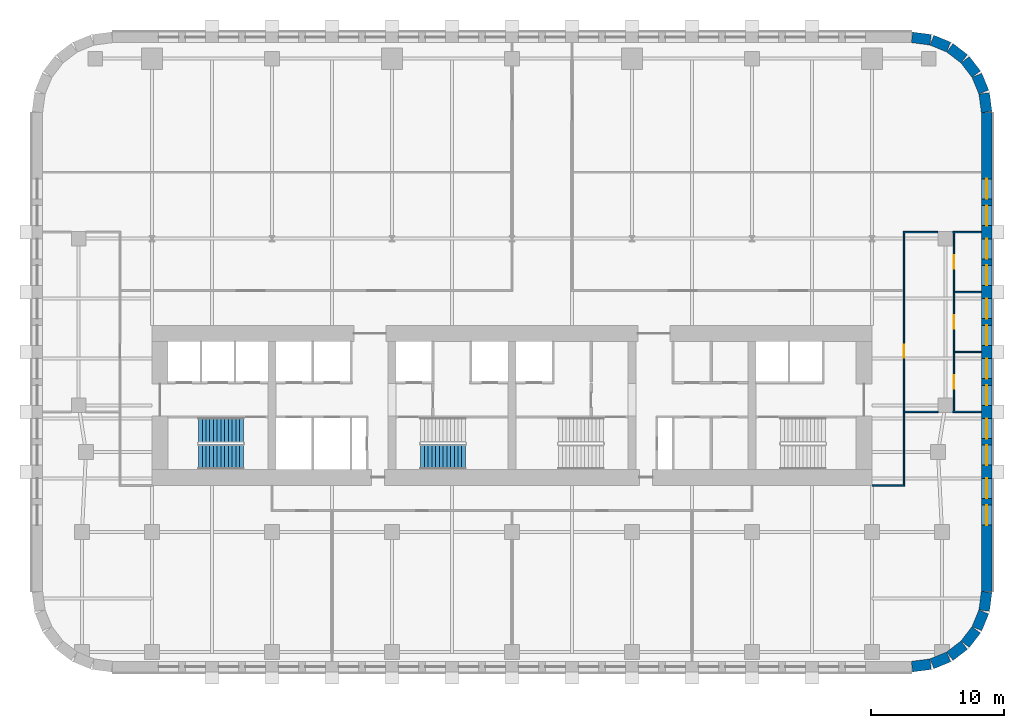
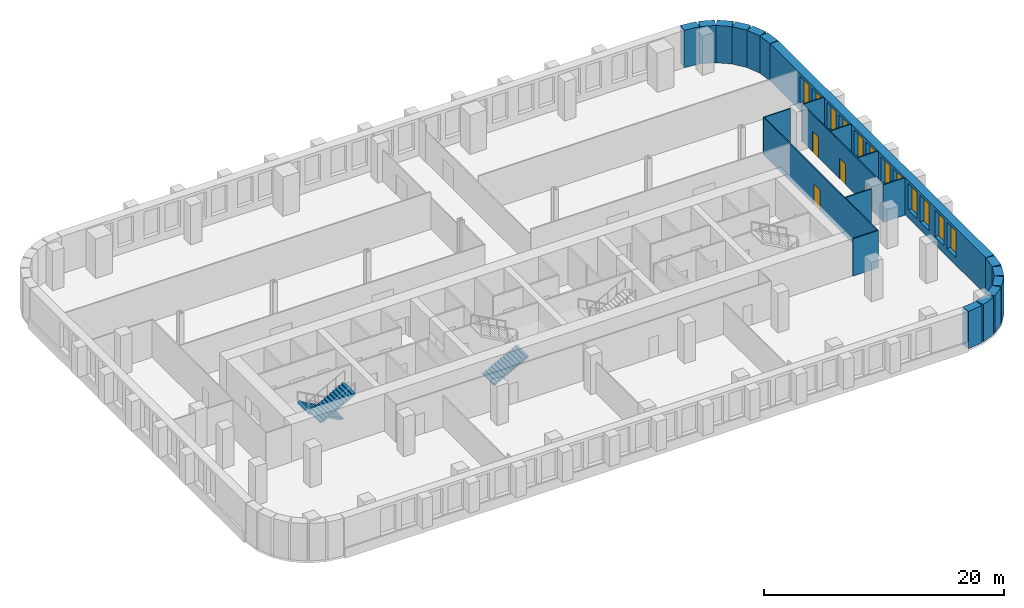
# One storey, part 8 of 11: 22 walls, 12 windows, 4 doors, 3 stair flights, 16 openings, 2 elements without a shape of their own.
"""IFC4 building model written with IfcOpenShell, lengths in metres."""

import ifcopenshell
import ifcopenshell.guid

model = None  # the IFC model being written
_history = None  # IfcOwnerHistory: only IFC2X3 demands one
_inside = {}  # id of a spatial element -> (the spatial element, [elements in it])
_under = {}  # id of a project, library or spatial element -> (it, [spatial elements below it])
_declared = {}  # id of a project -> (the project, [libraries it declares])
_typed = {}  # id of a type object -> (the type object, [elements of that type])
_made_of = {}  # id of a material, layer set ... -> (it, [elements and type objects made of it])


def new_model(schema):
    """Start an empty IFC model of exactly this schema.

    Asked for "IFC4X3", IfcOpenShell would pick the latest addendum, in which some entities
    have other attributes; the version numbers below select the first issue.
    IFC2X3 requires an IfcOwnerHistory on every rooted entity: one is made here for all.
    """
    global model, _history
    if schema == "IFC4X3":
        model = ifcopenshell.file(schema_version=(4, 3, 0, 0))
    else:
        model = ifcopenshell.file(schema=schema)
    _inside.clear()
    _under.clear()
    _declared.clear()
    _typed.clear()
    _made_of.clear()
    _history = None
    if model.schema == "IFC2X3":
        org = make("IfcOrganization", Name="unknown")
        user = make(
            "IfcPersonAndOrganization",
            ThePerson=make("IfcPerson", FamilyName="unknown"),
            TheOrganization=org,
        )
        app = make(
            "IfcApplication",
            ApplicationDeveloper=org,
            Version="unknown",
            ApplicationFullName="unknown",
            ApplicationIdentifier="unknown",
        )
        _history = make(
            "IfcOwnerHistory",
            OwningUser=user,
            OwningApplication=app,
            ChangeAction="ADDED",
            CreationDate=0,
        )
    return model


def make(cls, **values):
    """One entity of the class cls with the attributes given. An attribute that is None is left unset."""
    return model.create_entity(
        cls, **{name: value for name, value in values.items() if value is not None}
    )


def rooted(cls, **values):
    """An entity with a GlobalId (a new one), such as an element, a storey or a relation."""
    return make(cls, GlobalId=ifcopenshell.guid.new(), OwnerHistory=_history, **values)


def si_unit(unit_type, name, prefix=None):
    """IfcSIUnit, for example si_unit("LENGTHUNIT", "METRE", prefix="MILLI")."""
    return make("IfcSIUnit", UnitType=unit_type, Prefix=prefix, Name=name)


def assignment(units):
    """IfcUnitAssignment: the units of a project."""
    return None if units is None else make("IfcUnitAssignment", Units=units)


def point(xyz):
    """IfcCartesianPoint."""
    return None if xyz is None else make("IfcCartesianPoint", Coordinates=xyz)


def direction(xyz):
    """IfcDirection."""
    return None if xyz is None else make("IfcDirection", DirectionRatios=xyz)


def frame(location, z_axis=None, x_axis=None):
    """IfcAxis2Placement3D, a coordinate frame: its origin and axes. An axis left out is left unset."""
    return make(
        "IfcAxis2Placement3D",
        Location=point(location),
        Axis=direction(z_axis),
        RefDirection=direction(x_axis),
    )


def frame_2d(location, x_axis=None):
    """IfcAxis2Placement2D, a coordinate frame in the plane: its origin and x axis."""
    return make(
        "IfcAxis2Placement2D", Location=point(location), RefDirection=direction(x_axis)
    )


def origin():
    """The frame at (0, 0, 0) with its axes left unset."""
    return frame((0.0, 0.0, 0.0))


def place(relative_to, where):
    """IfcLocalPlacement: puts the frame where relative to a parent placement (None: the world)."""
    return make(
        "IfcLocalPlacement", PlacementRelTo=relative_to, RelativePlacement=where
    )


def context(
    kind, dimensions, precision=None, world=None, true_north=None, identifier=None
):
    """IfcGeometricRepresentationContext, for example the 3D "Model" context."""
    return make(
        "IfcGeometricRepresentationContext",
        ContextIdentifier=identifier,
        ContextType=kind,
        CoordinateSpaceDimension=dimensions,
        Precision=precision,
        WorldCoordinateSystem=world,
        TrueNorth=true_north,
    )


def subcontext(parent, identifier, kind, view, scale=None):
    """IfcGeometricRepresentationSubContext, for example "Body" below "Model"."""
    return make(
        "IfcGeometricRepresentationSubContext",
        ContextIdentifier=identifier,
        ContextType=kind,
        ParentContext=parent,
        TargetScale=scale,
        TargetView=view,
    )


def project(units=None, contexts=None):
    """IfcProject with its units and contexts."""
    return rooted(
        "IfcProject",
        Name="project",
        RepresentationContexts=contexts,
        UnitsInContext=assignment(units),
    )


def spatial(cls, under=None, at=None, **own):
    """A site, building, storey or space (cls), placed at a placement, below another one or the project."""
    s = rooted(cls, ObjectPlacement=at, **own)
    if under is not None:
        _under.setdefault(under.id(), (under, []))[1].append(s)
    return s


def polyline(points):
    """IfcPolyline through the points."""
    return make("IfcPolyline", Points=[point(p) for p in points])


def profile(cls, at=None, kind="AREA", **sizes):
    """A parametric profile (cls). Its sizes go by their IFC names, for example OverallWidth=200.0."""
    return make(cls, ProfileType=kind, Position=at, **sizes)


def rectangle(**sizes):
    """IfcRectangleProfileDef."""
    return profile("IfcRectangleProfileDef", **sizes)


def outline(outer, holes=None, kind="AREA"):
    """IfcArbitraryClosedProfileDef: a profile drawn as a closed curve; with holes, ...WithVoids."""
    if holes is None:
        return make("IfcArbitraryClosedProfileDef", ProfileType=kind, OuterCurve=outer)
    return make(
        "IfcArbitraryProfileDefWithVoids",
        ProfileType=kind,
        OuterCurve=outer,
        InnerCurves=holes,
    )


def extrude(swept, where, along, depth):
    """IfcExtrudedAreaSolid: the profile swept, set in the frame where, extruded along a direction by depth."""
    return make(
        "IfcExtrudedAreaSolid",
        SweptArea=swept,
        Position=where,
        ExtrudedDirection=direction(along),
        Depth=depth,
    )


def shape(context_of_items, identifier, shape_type, items):
    """IfcShapeRepresentation: the items that make up one representation, for example the "Body"."""
    return make(
        "IfcShapeRepresentation",
        ContextOfItems=context_of_items,
        RepresentationIdentifier=identifier,
        RepresentationType=shape_type,
        Items=items,
    )


def material(Name=None, Category=None):
    """IfcMaterial."""
    return make("IfcMaterial", Name=Name, Category=Category)


def layer(
    of_material, thickness, ventilated=None, Name=None, Category=None, Priority=None
):
    """IfcMaterialLayer: one layer of a wall or slab, of a material (None: an air gap)."""
    return make(
        "IfcMaterialLayer",
        Material=of_material,
        LayerThickness=thickness,
        IsVentilated=ventilated,
        Name=Name,
        Category=Category,
        Priority=Priority,
    )


def layer_set(layers, Name=None):
    """IfcMaterialLayerSet."""
    return make("IfcMaterialLayerSet", MaterialLayers=layers, LayerSetName=Name)


def made_of(thing, what):
    """Note that an element or type object is made of a material, layer set ...; save() writes the relation."""
    if what is not None:
        _made_of.setdefault(what.id(), (what, []))[1].append(thing)
    return thing


def type_object(cls, material=None, **own):
    """A type object (cls), such as IfcWallType, which elements share."""
    return made_of(rooted(cls, **own), material)


def element(
    cls,
    number,
    at=None,
    inside=None,
    cuts=None,
    type_object=None,
    material=None,
    context=None,
    identifier="Body",
    shape_type=None,
    held_by="IfcProductDefinitionShape",
    body=None,
    shapes=None,
    **own,
):
    """One element of the class cls, such as IfcWall. Its Tag is "e" and its number.

    at: its placement. inside: the storey or other place that contains it. cuts: it is an
    opening in that element (IfcRelVoidsElement). A single representation is given by context,
    identifier, shape_type and body (its items); several are given by shapes. held_by: the class
    of the entity that holds the representations. save() writes the other relations.
    """
    e = rooted(cls, Tag="e%d" % number, ObjectPlacement=at, **own)
    if body is not None:
        shapes = [shape(context, identifier, shape_type, body)]
    if shapes is not None:
        e.Representation = make(held_by, Representations=shapes)
    if inside is not None:
        _inside.setdefault(inside.id(), (inside, []))[1].append(e)
    if cuts is not None:
        rooted(
            "IfcRelVoidsElement", RelatingBuildingElement=cuts, RelatedOpeningElement=e
        )
    if type_object is not None:
        _typed.setdefault(type_object.id(), (type_object, []))[1].append(e)
    return made_of(e, material)


def fill(opening, filler):
    """IfcRelFillsElement: the door or window that sits in an opening."""
    return rooted(
        "IfcRelFillsElement",
        RelatingOpeningElement=opening,
        RelatedBuildingElement=filler,
    )


def aggregate(whole, parts):
    """IfcRelAggregates: a whole, such as a stair, and the parts it consists of."""
    return rooted("IfcRelAggregates", RelatingObject=whole, RelatedObjects=parts)


def save(model, path):
    """Write the relations noted so far, then the file.

    IfcRelAggregates (storeys below a building ...), IfcRelContainedInSpatialStructure (elements
    in a storey), IfcRelDefinesByType, IfcRelAssociatesMaterial and IfcRelDeclares: one each for
    every whole, place, type object, material and project.
    """
    for whole, parts in _under.values():
        aggregate(whole, parts)
    for where, things in _inside.values():
        rooted(
            "IfcRelContainedInSpatialStructure",
            RelatedElements=things,
            RelatingStructure=where,
        )
    for kind, things in _typed.values():
        rooted("IfcRelDefinesByType", RelatedObjects=things, RelatingType=kind)
    for what, things in _made_of.values():
        rooted("IfcRelAssociatesMaterial", RelatedObjects=things, RelatingMaterial=what)
    for by, libraries in _declared.values():
        rooted("IfcRelDeclares", RelatingContext=by, RelatedDefinitions=libraries)
    model.write(path)


model = new_model("IFC4")

# Units and contexts
model_context = context("Model", 3, precision=1e-05, world=origin(), true_north=direction((0.0, 1.0)))
body_context = subcontext(model_context, "Body", "Model", "MODEL_VIEW")
ifc_project = project(units=[si_unit("LENGTHUNIT", "METRE"), si_unit("AREAUNIT", "SQUARE_METRE"), si_unit("VOLUMEUNIT", "CUBIC_METRE"), si_unit("PLANEANGLEUNIT", "RADIAN"), si_unit("MASSUNIT", "GRAM", prefix="KILO")], contexts=[model_context])

# Site, building, storey
site_placement = place(None, origin())
site = spatial("IfcSite", under=ifc_project, at=site_placement, CompositionType="ELEMENT")
building_placement = place(site_placement, origin())
building = spatial("IfcBuilding", under=site, at=building_placement, Name="Zellij Exchange Tower", CompositionType="ELEMENT")
storey_placement = place(building_placement, frame((0.0, 0.0, 80.5)))
storey = spatial("IfcBuildingStorey", under=building, at=storey_placement, Name="L16", CompositionType="ELEMENT", Elevation=80.5)

# Walls
ifc_material_1 = material(Name="Precast concrete C40/50", Category="concrete")
ifc_layer_1 = layer(ifc_material_1, 0.800048828125)
ifc_layer_set_1 = layer_set([ifc_layer_1], Name="Precast concrete C40/50")
wall_type_1 = type_object("IfcWallType", Name="ENV-EW1 Precast stone-piered wall 800", PredefinedType="SOLIDWALL", material=ifc_layer_set_1)
wall_1_placement = place(storey_placement, frame((29.999755859375, -27.5966796875, 0.0), z_axis=(0.0, 0.0, 1.0), x_axis=(0.99144603414, 0.130517283865, 0.0)))
element("IfcWall", 1, at=wall_1_placement, inside=storey, type_object=wall_type_1, Name="fac.L16.01", PredefinedType="SOLIDWALL", context=body_context, shape_type="SweptSolid", body=[
    extrude(rectangle(XDim=1.408447265625, YDim=0.800048828125, at=frame_2d((0.7041015625, 0.0))), origin(), (0.0, 0.0, 1.0), 3.800048828125),
])
wall_2_placement = place(storey_placement, frame((31.497314453125, -27.3857421875, 0.0), z_axis=(0.0, 0.0, 1.0), x_axis=(0.923847774587, 0.38276009378, 0.0)))
element("IfcWall", 2, at=wall_2_placement, inside=storey, type_object=wall_type_1, Name="fac.L16.02", PredefinedType="SOLIDWALL", context=body_context, shape_type="SweptSolid", body=[
    extrude(rectangle(XDim=1.35546875, YDim=0.800048828125, at=frame_2d((0.677734375, 0.0))), origin(), (0.0, 0.0, 1.0), 3.800048828125),
])
for number, where, z_axis, x_axis, name in (
    (3, (32.840087890625, -26.814697265625, 0.0), (0.0, 0.0, 1.0), (0.793272915452, 0.608866226366, 0.0), "fac.L16.03"),
    (4, (33.9892578125, -25.91552734375, 0.0), (0.0, 0.0, 1.0), (0.608866226366, 0.793272915452, 0.0), "fac.L16.04"),
):
    element("IfcWall", number, at=place(storey_placement, frame(where, z_axis=z_axis, x_axis=x_axis)), inside=storey, type_object=wall_type_1, Name=name, PredefinedType="SOLIDWALL", context=body_context, shape_type="SweptSolid", body=[
        extrude(rectangle(XDim=1.355712890625, YDim=0.800048828125, at=frame_2d((0.677734375, 0.0))), origin(), (0.0, 0.0, 1.0), 3.800048828125),
    ])
wall_3_placement = place(storey_placement, frame((34.866943359375, -24.74951171875, 0.0), z_axis=(0.0, 0.0, 1.0), x_axis=(0.38276009378, 0.923847774587, 0.0)))
element("IfcWall", 5, at=wall_3_placement, inside=storey, type_object=wall_type_1, Name="fac.L16.05", PredefinedType="SOLIDWALL", context=body_context, shape_type="SweptSolid", body=[
    extrude(rectangle(XDim=1.35546875, YDim=0.800048828125, at=frame_2d((0.677734375, 0.0))), origin(), (0.0, 0.0, 1.0), 3.800048828125),
])
wall_4_placement = place(storey_placement, frame((35.412841796875, -23.396240234375, 0.0), z_axis=(0.0, 0.0, 1.0), x_axis=(0.130517283865, 0.99144603414, 0.0)))
element("IfcWall", 6, at=wall_4_placement, inside=storey, type_object=wall_type_1, Name="fac.L16.06", PredefinedType="SOLIDWALL", context=body_context, shape_type="SweptSolid", body=[
    extrude(rectangle(XDim=1.408447265625, YDim=0.800048828125, at=frame_2d((0.7041015625, 0.0))), origin(), (0.0, 0.0, 1.0), 3.800048828125),
])

# Wall, openings, windows
wall_5_placement = place(storey_placement, frame((35.60009765625, -21.947509765625, 0.0), z_axis=(0.0, 0.0, 1.0), x_axis=(0.0, 1.0, 0.0)))
wall_5 = element("IfcWall", 7, at=wall_5_placement, inside=storey, type_object=wall_type_1, Name="fac.L16.07", PredefinedType="SOLIDWALL", context=body_context, shape_type="SweptSolid", body=[
    extrude(rectangle(XDim=35.89501953125, YDim=0.800048828125, at=frame_2d((17.947509765625, 0.0))), origin(), (0.0, 0.0, 1.0), 3.800048828125),
])
opening_1_placement = place(wall_5_placement, frame((4.9638671875, 0.0, 0.800048828125)))
opening_1 = element("IfcOpeningElement", 8, at=opening_1_placement, cuts=wall_5, Name="Opening FZ1.25", PredefinedType="OPENING", context=body_context, shape_type="SweptSolid", body=[
    extrude(rectangle(XDim=1.5, YDim=2.699951171875, at=frame_2d((0.75, 1.35009765625))), frame((0.0, 0.412109375, 0.0), z_axis=(0.0, -1.0, 0.0), x_axis=(1.0, 0.0, 0.0)), (0.0, 0.0, 1.0), 0.823974609375),
])
opening_2_placement = place(wall_5_placement, frame((6.9638671875, 0.0, 0.800048828125)))
opening_2 = element("IfcOpeningElement", 9, at=opening_2_placement, cuts=wall_5, Name="Opening FZ1.26", PredefinedType="OPENING", context=body_context, shape_type="SweptSolid", body=[
    extrude(rectangle(XDim=1.5, YDim=2.699951171875, at=frame_2d((0.75, 1.35009765625))), frame((0.0, 0.412109375, 0.0), z_axis=(0.0, -1.0, 0.0), x_axis=(1.0, 0.0, 0.0)), (0.0, 0.0, 1.0), 0.823974609375),
])
opening_3_placement = place(wall_5_placement, frame((9.45751953125, 0.0, 0.800048828125)))
opening_3 = element("IfcOpeningElement", 10, at=opening_3_placement, cuts=wall_5, Name="Opening FZ1.27", PredefinedType="OPENING", context=body_context, shape_type="SweptSolid", body=[
    extrude(rectangle(XDim=1.5, YDim=2.699951171875, at=frame_2d((0.75, 1.35009765625))), frame((0.0, 0.412109375, 0.0), z_axis=(0.0, -1.0, 0.0), x_axis=(1.0, 0.0, 0.0)), (0.0, 0.0, 1.0), 0.823974609375),
])
opening_4_placement = place(wall_5_placement, frame((11.45751953125, 0.0, 0.800048828125)))
opening_4 = element("IfcOpeningElement", 11, at=opening_4_placement, cuts=wall_5, Name="Opening FZ1.28", PredefinedType="OPENING", context=body_context, shape_type="SweptSolid", body=[
    extrude(rectangle(XDim=1.5, YDim=2.699951171875, at=frame_2d((0.75, 1.35009765625))), frame((0.0, 0.412109375, 0.0), z_axis=(0.0, -1.0, 0.0), x_axis=(1.0, 0.0, 0.0)), (0.0, 0.0, 1.0), 0.823974609375),
])
opening_5_placement = place(wall_5_placement, frame((13.950927734375, 0.0, 0.800048828125)))
opening_5 = element("IfcOpeningElement", 12, at=opening_5_placement, cuts=wall_5, Name="Opening FZ1.29", PredefinedType="OPENING", context=body_context, shape_type="SweptSolid", body=[
    extrude(rectangle(XDim=1.5, YDim=2.699951171875, at=frame_2d((0.75, 1.35009765625))), frame((0.0, 0.412109375, 0.0), z_axis=(0.0, -1.0, 0.0), x_axis=(1.0, 0.0, 0.0)), (0.0, 0.0, 1.0), 0.823974609375),
])
opening_6_placement = place(wall_5_placement, frame((15.95068359375, 0.0, 0.800048828125)))
opening_6 = element("IfcOpeningElement", 13, at=opening_6_placement, cuts=wall_5, Name="Opening FZ1.30", PredefinedType="OPENING", context=body_context, shape_type="SweptSolid", body=[
    extrude(rectangle(XDim=1.5, YDim=2.699951171875, at=frame_2d((0.75, 1.35009765625))), frame((0.0, 0.412109375, 0.0), z_axis=(0.0, -1.0, 0.0), x_axis=(1.0, 0.0, 0.0)), (0.0, 0.0, 1.0), 0.823974609375),
])
opening_7_placement = place(wall_5_placement, frame((18.4443359375, 0.0, 0.800048828125)))
opening_7 = element("IfcOpeningElement", 14, at=opening_7_placement, cuts=wall_5, Name="Opening FZ1.31", PredefinedType="OPENING", context=body_context, shape_type="SweptSolid", body=[
    extrude(rectangle(XDim=1.5, YDim=2.699951171875, at=frame_2d((0.75, 1.35009765625))), frame((0.0, 0.412109375, 0.0), z_axis=(0.0, -1.0, 0.0), x_axis=(1.0, 0.0, 0.0)), (0.0, 0.0, 1.0), 0.823974609375),
])
opening_8_placement = place(wall_5_placement, frame((20.4443359375, 0.0, 0.800048828125)))
opening_8 = element("IfcOpeningElement", 15, at=opening_8_placement, cuts=wall_5, Name="Opening FZ1.32", PredefinedType="OPENING", context=body_context, shape_type="SweptSolid", body=[
    extrude(rectangle(XDim=1.5, YDim=2.699951171875, at=frame_2d((0.75, 1.35009765625))), frame((0.0, 0.412109375, 0.0), z_axis=(0.0, -1.0, 0.0), x_axis=(1.0, 0.0, 0.0)), (0.0, 0.0, 1.0), 0.823974609375),
])
opening_9_placement = place(wall_5_placement, frame((22.937744140625, 0.0, 0.800048828125)))
opening_9 = element("IfcOpeningElement", 16, at=opening_9_placement, cuts=wall_5, Name="Opening FZ1.33", PredefinedType="OPENING", context=body_context, shape_type="SweptSolid", body=[
    extrude(rectangle(XDim=1.5, YDim=2.699951171875, at=frame_2d((0.75, 1.35009765625))), frame((0.0, 0.412109375, 0.0), z_axis=(0.0, -1.0, 0.0), x_axis=(1.0, 0.0, 0.0)), (0.0, 0.0, 1.0), 0.823974609375),
])
opening_10_placement = place(wall_5_placement, frame((24.937744140625, 0.0, 0.800048828125)))
opening_10 = element("IfcOpeningElement", 17, at=opening_10_placement, cuts=wall_5, Name="Opening FZ1.34", PredefinedType="OPENING", context=body_context, shape_type="SweptSolid", body=[
    extrude(rectangle(XDim=1.5, YDim=2.699951171875, at=frame_2d((0.75, 1.35009765625))), frame((0.0, 0.412109375, 0.0), z_axis=(0.0, -1.0, 0.0), x_axis=(1.0, 0.0, 0.0)), (0.0, 0.0, 1.0), 0.823974609375),
])
opening_11_placement = place(wall_5_placement, frame((27.43115234375, 0.0, 0.800048828125)))
opening_11 = element("IfcOpeningElement", 18, at=opening_11_placement, cuts=wall_5, Name="Opening FZ1.35", PredefinedType="OPENING", context=body_context, shape_type="SweptSolid", body=[
    extrude(rectangle(XDim=1.5, YDim=2.699951171875, at=frame_2d((0.75, 1.35009765625))), frame((0.0, 0.412109375, 0.0), z_axis=(0.0, -1.0, 0.0), x_axis=(1.0, 0.0, 0.0)), (0.0, 0.0, 1.0), 0.823974609375),
])
opening_12_placement = place(wall_5_placement, frame((29.43115234375, 0.0, 0.800048828125)))
opening_12 = element("IfcOpeningElement", 19, at=opening_12_placement, cuts=wall_5, Name="Opening FZ1.36", PredefinedType="OPENING", context=body_context, shape_type="SweptSolid", body=[
    extrude(rectangle(XDim=1.5, YDim=2.699951171875, at=frame_2d((0.75, 1.35009765625))), frame((0.0, 0.412109375, 0.0), z_axis=(0.0, -1.0, 0.0), x_axis=(1.0, 0.0, 0.0)), (0.0, 0.0, 1.0), 0.823974609375),
])
ifc_material_2 = material(Name="Aluminium frame with insulating glass", Category="aluminium")
window_type = type_object("IfcWindowType", Name="ENV-W6 Window 1500x2700", PartitioningType="SINGLE_PANEL", PredefinedType="WINDOW", material=ifc_material_2)
window_1_placement = place(opening_1_placement, origin())
window_1 = element("IfcWindow", 20, at=window_1_placement, inside=storey, type_object=window_type, Name="Window FZ1.25", OverallHeight=2.699951171875, OverallWidth=1.5, PartitioningType="SINGLE_PANEL", PredefinedType="WINDOW", context=body_context, shape_type="SweptSolid", body=[
    extrude(rectangle(XDim=1.5, YDim=2.699951171875, at=frame_2d((0.75, 1.35009765625))), frame((0.0, 0.030029296875, 0.0), z_axis=(0.0, -1.0, 0.0), x_axis=(1.0, 0.0, 0.0)), (0.0, 0.0, 1.0), 0.06005859375),
])
fill(opening_1, window_1)
window_2_placement = place(opening_2_placement, origin())
window_2 = element("IfcWindow", 21, at=window_2_placement, inside=storey, type_object=window_type, Name="Window FZ1.26", OverallHeight=2.699951171875, OverallWidth=1.5, PartitioningType="SINGLE_PANEL", PredefinedType="WINDOW", context=body_context, shape_type="SweptSolid", body=[
    extrude(rectangle(XDim=1.5, YDim=2.699951171875, at=frame_2d((0.75, 1.35009765625))), frame((0.0, 0.030029296875, 0.0), z_axis=(0.0, -1.0, 0.0), x_axis=(1.0, 0.0, 0.0)), (0.0, 0.0, 1.0), 0.06005859375),
])
fill(opening_2, window_2)
window_3_placement = place(opening_3_placement, origin())
window_3 = element("IfcWindow", 22, at=window_3_placement, inside=storey, type_object=window_type, Name="Window FZ1.27", OverallHeight=2.699951171875, OverallWidth=1.5, PartitioningType="SINGLE_PANEL", PredefinedType="WINDOW", context=body_context, shape_type="SweptSolid", body=[
    extrude(rectangle(XDim=1.5, YDim=2.699951171875, at=frame_2d((0.75, 1.35009765625))), frame((0.0, 0.030029296875, 0.0), z_axis=(0.0, -1.0, 0.0), x_axis=(1.0, 0.0, 0.0)), (0.0, 0.0, 1.0), 0.06005859375),
])
fill(opening_3, window_3)
window_4_placement = place(opening_4_placement, origin())
window_4 = element("IfcWindow", 23, at=window_4_placement, inside=storey, type_object=window_type, Name="Window FZ1.28", OverallHeight=2.699951171875, OverallWidth=1.5, PartitioningType="SINGLE_PANEL", PredefinedType="WINDOW", context=body_context, shape_type="SweptSolid", body=[
    extrude(rectangle(XDim=1.5, YDim=2.699951171875, at=frame_2d((0.75, 1.35009765625))), frame((0.0, 0.030029296875, 0.0), z_axis=(0.0, -1.0, 0.0), x_axis=(1.0, 0.0, 0.0)), (0.0, 0.0, 1.0), 0.06005859375),
])
fill(opening_4, window_4)
window_5_placement = place(opening_5_placement, origin())
window_5 = element("IfcWindow", 24, at=window_5_placement, inside=storey, type_object=window_type, Name="Window FZ1.29", OverallHeight=2.699951171875, OverallWidth=1.5, PartitioningType="SINGLE_PANEL", PredefinedType="WINDOW", context=body_context, shape_type="SweptSolid", body=[
    extrude(rectangle(XDim=1.5, YDim=2.699951171875, at=frame_2d((0.75, 1.35009765625))), frame((0.0, 0.030029296875, 0.0), z_axis=(0.0, -1.0, 0.0), x_axis=(1.0, 0.0, 0.0)), (0.0, 0.0, 1.0), 0.06005859375),
])
fill(opening_5, window_5)
window_6_placement = place(opening_6_placement, origin())
window_6 = element("IfcWindow", 25, at=window_6_placement, inside=storey, type_object=window_type, Name="Window FZ1.30", OverallHeight=2.699951171875, OverallWidth=1.5, PartitioningType="SINGLE_PANEL", PredefinedType="WINDOW", context=body_context, shape_type="SweptSolid", body=[
    extrude(rectangle(XDim=1.5, YDim=2.699951171875, at=frame_2d((0.75, 1.35009765625))), frame((0.0, 0.030029296875, 0.0), z_axis=(0.0, -1.0, 0.0), x_axis=(1.0, 0.0, 0.0)), (0.0, 0.0, 1.0), 0.06005859375),
])
fill(opening_6, window_6)
window_7_placement = place(opening_7_placement, origin())
window_7 = element("IfcWindow", 26, at=window_7_placement, inside=storey, type_object=window_type, Name="Window FZ1.31", OverallHeight=2.699951171875, OverallWidth=1.5, PartitioningType="SINGLE_PANEL", PredefinedType="WINDOW", context=body_context, shape_type="SweptSolid", body=[
    extrude(rectangle(XDim=1.5, YDim=2.699951171875, at=frame_2d((0.75, 1.35009765625))), frame((0.0, 0.030029296875, 0.0), z_axis=(0.0, -1.0, 0.0), x_axis=(1.0, 0.0, 0.0)), (0.0, 0.0, 1.0), 0.06005859375),
])
fill(opening_7, window_7)
window_8_placement = place(opening_8_placement, origin())
window_8 = element("IfcWindow", 27, at=window_8_placement, inside=storey, type_object=window_type, Name="Window FZ1.32", OverallHeight=2.699951171875, OverallWidth=1.5, PartitioningType="SINGLE_PANEL", PredefinedType="WINDOW", context=body_context, shape_type="SweptSolid", body=[
    extrude(rectangle(XDim=1.5, YDim=2.699951171875, at=frame_2d((0.75, 1.35009765625))), frame((0.0, 0.030029296875, 0.0), z_axis=(0.0, -1.0, 0.0), x_axis=(1.0, 0.0, 0.0)), (0.0, 0.0, 1.0), 0.06005859375),
])
fill(opening_8, window_8)
window_9_placement = place(opening_9_placement, origin())
window_9 = element("IfcWindow", 28, at=window_9_placement, inside=storey, type_object=window_type, Name="Window FZ1.33", OverallHeight=2.699951171875, OverallWidth=1.5, PartitioningType="SINGLE_PANEL", PredefinedType="WINDOW", context=body_context, shape_type="SweptSolid", body=[
    extrude(rectangle(XDim=1.5, YDim=2.699951171875, at=frame_2d((0.75, 1.35009765625))), frame((0.0, 0.030029296875, 0.0), z_axis=(0.0, -1.0, 0.0), x_axis=(1.0, 0.0, 0.0)), (0.0, 0.0, 1.0), 0.06005859375),
])
fill(opening_9, window_9)
window_10_placement = place(opening_10_placement, origin())
window_10 = element("IfcWindow", 29, at=window_10_placement, inside=storey, type_object=window_type, Name="Window FZ1.34", OverallHeight=2.699951171875, OverallWidth=1.5, PartitioningType="SINGLE_PANEL", PredefinedType="WINDOW", context=body_context, shape_type="SweptSolid", body=[
    extrude(rectangle(XDim=1.5, YDim=2.699951171875, at=frame_2d((0.75, 1.35009765625))), frame((0.0, 0.030029296875, 0.0), z_axis=(0.0, -1.0, 0.0), x_axis=(1.0, 0.0, 0.0)), (0.0, 0.0, 1.0), 0.06005859375),
])
fill(opening_10, window_10)
window_11_placement = place(opening_11_placement, origin())
window_11 = element("IfcWindow", 30, at=window_11_placement, inside=storey, type_object=window_type, Name="Window FZ1.35", OverallHeight=2.699951171875, OverallWidth=1.5, PartitioningType="SINGLE_PANEL", PredefinedType="WINDOW", context=body_context, shape_type="SweptSolid", body=[
    extrude(rectangle(XDim=1.5, YDim=2.699951171875, at=frame_2d((0.75, 1.35009765625))), frame((0.0, 0.030029296875, 0.0), z_axis=(0.0, -1.0, 0.0), x_axis=(1.0, 0.0, 0.0)), (0.0, 0.0, 1.0), 0.06005859375),
])
fill(opening_11, window_11)
window_12_placement = place(opening_12_placement, origin())
window_12 = element("IfcWindow", 31, at=window_12_placement, inside=storey, type_object=window_type, Name="Window FZ1.36", OverallHeight=2.699951171875, OverallWidth=1.5, PartitioningType="SINGLE_PANEL", PredefinedType="WINDOW", context=body_context, shape_type="SweptSolid", body=[
    extrude(rectangle(XDim=1.5, YDim=2.699951171875, at=frame_2d((0.75, 1.35009765625))), frame((0.0, 0.030029296875, 0.0), z_axis=(0.0, -1.0, 0.0), x_axis=(1.0, 0.0, 0.0)), (0.0, 0.0, 1.0), 0.06005859375),
])
fill(opening_12, window_12)

# Walls
wall_6_placement = place(storey_placement, frame((35.5966796875, 13.999755859375, 0.0), z_axis=(0.0, 0.0, 1.0), x_axis=(-0.130517283865, 0.99144603414, 0.0)))
element("IfcWall", 32, at=wall_6_placement, inside=storey, type_object=wall_type_1, Name="fac.L16.08", PredefinedType="SOLIDWALL", context=body_context, shape_type="SweptSolid", body=[
    extrude(rectangle(XDim=1.408447265625, YDim=0.800048828125, at=frame_2d((0.7041015625, 0.0))), origin(), (0.0, 0.0, 1.0), 3.800048828125),
])
wall_7_placement = place(storey_placement, frame((35.3857421875, 15.497314453125, 0.0), z_axis=(0.0, 0.0, 1.0), x_axis=(-0.38276009378, 0.923847774587, 0.0)))
element("IfcWall", 33, at=wall_7_placement, inside=storey, type_object=wall_type_1, Name="fac.L16.09", PredefinedType="SOLIDWALL", context=body_context, shape_type="SweptSolid", body=[
    extrude(rectangle(XDim=1.35546875, YDim=0.800048828125, at=frame_2d((0.677734375, 0.0))), origin(), (0.0, 0.0, 1.0), 3.800048828125),
])
for number, where, z_axis, x_axis, name in (
    (34, (34.814697265625, 16.840087890625, 0.0), (0.0, 0.0, 1.0), (-0.608866226366, 0.793272915452, 0.0), "fac.L16.10"),
    (35, (33.91552734375, 17.9892578125, 0.0), (0.0, 0.0, 1.0), (-0.793272915452, 0.608866226366, 0.0), "fac.L16.11"),
):
    element("IfcWall", number, at=place(storey_placement, frame(where, z_axis=z_axis, x_axis=x_axis)), inside=storey, type_object=wall_type_1, Name=name, PredefinedType="SOLIDWALL", context=body_context, shape_type="SweptSolid", body=[
        extrude(rectangle(XDim=1.355712890625, YDim=0.800048828125, at=frame_2d((0.677734375, 0.0))), origin(), (0.0, 0.0, 1.0), 3.800048828125),
    ])
wall_8_placement = place(storey_placement, frame((32.74951171875, 18.866943359375, 0.0), z_axis=(0.0, 0.0, 1.0), x_axis=(-0.923847774587, 0.38276009378, 0.0)))
element("IfcWall", 36, at=wall_8_placement, inside=storey, type_object=wall_type_1, Name="fac.L16.12", PredefinedType="SOLIDWALL", context=body_context, shape_type="SweptSolid", body=[
    extrude(rectangle(XDim=1.35546875, YDim=0.800048828125, at=frame_2d((0.677734375, 0.0))), origin(), (0.0, 0.0, 1.0), 3.800048828125),
])
wall_9_placement = place(storey_placement, frame((31.396240234375, 19.412841796875, 0.0), z_axis=(0.0, 0.0, 1.0), x_axis=(-0.99144603414, 0.130517283865, 0.0)))
element("IfcWall", 37, at=wall_9_placement, inside=storey, type_object=wall_type_1, Name="fac.L16.13", PredefinedType="SOLIDWALL", context=body_context, shape_type="SweptSolid", body=[
    extrude(rectangle(XDim=1.408447265625, YDim=0.800048828125, at=frame_2d((0.7041015625, 0.0))), origin(), (0.0, 0.0, 1.0), 3.800048828125),
])
ifc_material_3 = material(Name="Gypsum board partition on steel studs", Category="steel")
ifc_layer_2 = layer(ifc_material_3, 0.10009765625)
ifc_layer_set_2 = layer_set([ifc_layer_2], Name="Gypsum board partition on steel studs")
wall_type_2 = type_object("IfcWallType", Name="FIT-PARTITION-100", PredefinedType="PARTITIONING", material=ifc_layer_set_2)
wall_10_placement = place(storey_placement, frame((27.0, -14.0, 0.0), z_axis=(0.0, 0.0, 1.0), x_axis=(1.0, 0.0, 0.0)))
element("IfcWall", 38, at=wall_10_placement, inside=storey, type_object=wall_type_2, Name="FIT-PARTITION-100 012", PredefinedType="PARTITIONING", context=body_context, shape_type="SweptSolid", body=[
    extrude(rectangle(XDim=2.449951171875, YDim=0.10009765625, at=frame_2d((1.22509765625, 0.0))), origin(), (0.0, 0.0, 1.0), 3.800048828125),
])

# Wall, opening, door
wall_11_placement = place(storey_placement, frame((29.39990234375, -13.949951171875, 0.0), z_axis=(0.0, 0.0, 1.0), x_axis=(0.0, 1.0, 0.0)))
wall_11 = element("IfcWall", 39, at=wall_11_placement, inside=storey, type_object=wall_type_2, Name="FIT-PARTITION-100 013", PredefinedType="PARTITIONING", context=body_context, shape_type="SweptSolid", body=[
    extrude(rectangle(XDim=18.889892578125, YDim=0.10009765625, at=frame_2d((9.44482421875, 0.0))), origin(), (0.0, 0.0, 1.0), 3.800048828125),
])
opening_13_placement = place(wall_11_placement, frame((9.510009765625, 0.0, 0.0)))
opening_13 = element("IfcOpeningElement", 40, at=opening_13_placement, cuts=wall_11, Name="Opening TC.07", PredefinedType="OPENING", context=body_context, shape_type="SweptSolid", body=[
    extrude(rectangle(XDim=1.0, YDim=2.10009765625, at=frame_2d((0.5, 1.050048828125))), frame((0.0, 0.06201171875, 0.0), z_axis=(0.0, -1.0, 0.0), x_axis=(1.0, 0.0, 0.0)), (0.0, 0.0, 1.0), 0.1240234375),
])
ifc_material_4 = material(Name="Timber door set", Category="wood")
door_type = type_object("IfcDoorType", Name="FIT-D2-WIDE-1000X2100", OperationType="SINGLE_SWING_LEFT", PredefinedType="DOOR", material=ifc_material_4)
door_1_placement = place(opening_13_placement, origin())
door_1 = element("IfcDoor", 41, at=door_1_placement, inside=storey, type_object=door_type, Name="Door TC.07", OperationType="SINGLE_SWING_LEFT", OverallHeight=2.10009765625, OverallWidth=1.0, PredefinedType="DOOR", context=body_context, shape_type="SweptSolid", body=[
    extrude(rectangle(XDim=1.0, YDim=2.10009765625, at=frame_2d((0.5, 1.050048828125))), frame((0.0, 0.02490234375, 0.0), z_axis=(0.0, -1.0, 0.0), x_axis=(1.0, 0.0, 0.0)), (0.0, 0.0, 1.0), 0.050048828125),
])
fill(opening_13, door_1)

# Walls
wall_12_placement = place(storey_placement, frame((29.449951171875, -8.489990234375, 0.0), z_axis=(0.0, 0.0, 1.0), x_axis=(1.0, 0.0, 0.0)))
element("IfcWall", 42, at=wall_12_placement, inside=storey, type_object=wall_type_2, Name="FIT-PARTITION-100 016", PredefinedType="PARTITIONING", context=body_context, shape_type="SweptSolid", body=[
    extrude(rectangle(XDim=2.5, YDim=0.10009765625, at=frame_2d((1.25, 0.0))), origin(), (0.0, 0.0, 1.0), 3.800048828125),
])
wall_13_placement = place(storey_placement, frame((33.050048828125, -8.489990234375, 0.0), z_axis=(0.0, 0.0, 1.0), x_axis=(1.0, 0.0, 0.0)))
element("IfcWall", 43, at=wall_13_placement, inside=storey, type_object=wall_type_2, Name="FIT-PARTITION-100 017", PredefinedType="PARTITIONING", context=body_context, shape_type="SweptSolid", body=[
    extrude(rectangle(XDim=2.14990234375, YDim=0.10009765625, at=frame_2d((1.074951171875, 0.0))), origin(), (0.0, 0.0, 1.0), 3.800048828125),
])

# Wall, openings, doors
wall_14_placement = place(storey_placement, frame((33.14990234375, -8.43994140625, 0.0), z_axis=(0.0, 0.0, 1.0), x_axis=(0.0, 1.0, 0.0)))
wall_14 = element("IfcWall", 44, at=wall_14_placement, inside=storey, type_object=wall_type_2, Name="FIT-PARTITION-100 018", PredefinedType="PARTITIONING", context=body_context, shape_type="SweptSolid", body=[
    extrude(rectangle(XDim=13.3798828125, YDim=0.10009765625, at=frame_2d((6.68994140625, 0.0))), origin(), (0.0, 0.0, 1.0), 3.800048828125),
])
opening_14_placement = place(wall_14_placement, frame((1.699951171875, 0.0, 0.0)))
opening_14 = element("IfcOpeningElement", 45, at=opening_14_placement, cuts=wall_14, Name="Opening TC.05", PredefinedType="OPENING", context=body_context, shape_type="SweptSolid", body=[
    extrude(rectangle(XDim=1.0, YDim=2.10009765625, at=frame_2d((0.5, 1.050048828125))), frame((0.0, 0.06201171875, 0.0), z_axis=(0.0, -1.0, 0.0), x_axis=(1.0, 0.0, 0.0)), (0.0, 0.0, 1.0), 0.1240234375),
])
opening_15_placement = place(wall_14_placement, frame((6.18994140625, 0.0, 0.0)))
opening_15 = element("IfcOpeningElement", 46, at=opening_15_placement, cuts=wall_14, Name="Opening TC.08", PredefinedType="OPENING", context=body_context, shape_type="SweptSolid", body=[
    extrude(rectangle(XDim=1.0, YDim=2.10009765625, at=frame_2d((0.5, 1.050048828125))), frame((0.0, 0.06201171875, 0.0), z_axis=(0.0, -1.0, 0.0), x_axis=(1.0, 0.0, 0.0)), (0.0, 0.0, 1.0), 0.1240234375),
])
opening_16_placement = place(wall_14_placement, frame((10.679931640625, 0.0, 0.0)))
opening_16 = element("IfcOpeningElement", 47, at=opening_16_placement, cuts=wall_14, Name="Opening TC.13", PredefinedType="OPENING", context=body_context, shape_type="SweptSolid", body=[
    extrude(rectangle(XDim=1.0, YDim=2.10009765625, at=frame_2d((0.5, 1.050048828125))), frame((0.0, 0.06201171875, 0.0), z_axis=(0.0, -1.0, 0.0), x_axis=(1.0, 0.0, 0.0)), (0.0, 0.0, 1.0), 0.1240234375),
])
door_2_placement = place(opening_14_placement, origin())
door_2 = element("IfcDoor", 48, at=door_2_placement, inside=storey, type_object=door_type, Name="Door TC.05", OperationType="SINGLE_SWING_RIGHT", OverallHeight=2.10009765625, OverallWidth=1.0, PredefinedType="DOOR", context=body_context, shape_type="SweptSolid", body=[
    extrude(rectangle(XDim=1.0, YDim=2.10009765625, at=frame_2d((0.5, 1.050048828125))), frame((0.0, 0.02490234375, 0.0), z_axis=(0.0, -1.0, 0.0), x_axis=(1.0, 0.0, 0.0)), (0.0, 0.0, 1.0), 0.050048828125),
])
fill(opening_14, door_2)
door_3_placement = place(opening_15_placement, origin())
door_3 = element("IfcDoor", 49, at=door_3_placement, inside=storey, type_object=door_type, Name="Door TC.08", OperationType="SINGLE_SWING_RIGHT", OverallHeight=2.10009765625, OverallWidth=1.0, PredefinedType="DOOR", context=body_context, shape_type="SweptSolid", body=[
    extrude(rectangle(XDim=1.0, YDim=2.10009765625, at=frame_2d((0.5, 1.050048828125))), frame((0.0, 0.02490234375, 0.0), z_axis=(0.0, -1.0, 0.0), x_axis=(1.0, 0.0, 0.0)), (0.0, 0.0, 1.0), 0.050048828125),
])
fill(opening_15, door_3)
door_4_placement = place(opening_16_placement, origin())
door_4 = element("IfcDoor", 50, at=door_4_placement, inside=storey, type_object=door_type, Name="Door TC.13", OperationType="SINGLE_SWING_LEFT", OverallHeight=2.10009765625, OverallWidth=1.0, PredefinedType="DOOR", context=body_context, shape_type="SweptSolid", body=[
    extrude(rectangle(XDim=1.0, YDim=2.10009765625, at=frame_2d((0.5, 1.050048828125))), frame((0.0, 0.02490234375, 0.0), z_axis=(0.0, -1.0, 0.0), x_axis=(1.0, 0.0, 0.0)), (0.0, 0.0, 1.0), 0.050048828125),
])
fill(opening_16, door_4)

# Walls
for number, where, z_axis, x_axis, name in (
    (51, (33.199951171875, -4.0, 0.0), (0.0, 0.0, 1.0), (1.0, 0.0, 0.0), "FIT-PARTITION-100 019"),
    (52, (33.199951171875, 0.489990234375, 0.0), (0.0, 0.0, 1.0), (1.0, 0.0, 0.0), "FIT-PARTITION-100 020"),
):
    element("IfcWall", number, at=place(storey_placement, frame(where, z_axis=z_axis, x_axis=x_axis)), inside=storey, type_object=wall_type_2, Name=name, PredefinedType="PARTITIONING", context=body_context, shape_type="SweptSolid", body=[
        extrude(rectangle(XDim=2.0, YDim=0.10009765625, at=frame_2d((1.0, 0.0))), origin(), (0.0, 0.0, 1.0), 3.800048828125),
    ])
wall_15_placement = place(storey_placement, frame((29.35009765625, 4.989990234375, 0.0), z_axis=(0.0, 0.0, 1.0), x_axis=(1.0, 0.0, 0.0)))
element("IfcWall", 53, at=wall_15_placement, inside=storey, type_object=wall_type_2, Name="FIT-PARTITION-100 030", PredefinedType="PARTITIONING", context=body_context, shape_type="SweptSolid", body=[
    extrude(rectangle(XDim=2.599853515625, YDim=0.10009765625, at=frame_2d((1.2998046875, 0.0))), origin(), (0.0, 0.0, 1.0), 3.800048828125),
])
wall_16_placement = place(storey_placement, frame((33.050048828125, 4.989990234375, 0.0), z_axis=(0.0, 0.0, 1.0), x_axis=(1.0, 0.0, 0.0)))
element("IfcWall", 54, at=wall_16_placement, inside=storey, type_object=wall_type_2, Name="FIT-PARTITION-100 031", PredefinedType="PARTITIONING", context=body_context, shape_type="SweptSolid", body=[
    extrude(rectangle(XDim=2.14990234375, YDim=0.10009765625, at=frame_2d((1.074951171875, 0.0))), origin(), (0.0, 0.0, 1.0), 3.800048828125),
])

# Stair, stair flights
ifc_material_5 = material(Name="Concrete C40/50", Category="concrete")
stair_type = type_object("IfcStairType", Name="CORE-ST exit stair 1850 wide", PredefinedType="HALF_TURN_STAIR", material=ifc_material_5)
stair_1_placement = place(storey_placement, origin())
stair_1 = element("IfcStair", 55, at=stair_1_placement, inside=storey, type_object=stair_type, Name="L16 exit stair ST1", PredefinedType="HALF_TURN_STAIR")
stair_flight_type = type_object("IfcStairFlightType", Name="CORE-SF flight 1850 riser 153.8 going 280", PredefinedType="STRAIGHT", material=ifc_material_5)
stair_flight_1_placement = place(storey_placement, frame((-20.14990234375, -9.875, 0.0), z_axis=(0.0, 0.0, 1.0), x_axis=(-1.0, 0.0, 0.0)))
stair_flight_1 = element("IfcStairFlight", 56, at=stair_flight_1_placement, type_object=stair_flight_type, Name="ST1 flight 1", NumberOfRisers=13, NumberOfTreads=12, PredefinedType="STRAIGHT", RiserHeight=0.153846154, TreadLength=0.28, context=body_context, shape_type="SweptSolid", body=[
    extrude(outline(polyline([(0.0, 0.0), (0.0, 0.15380859375), (0.280029296875, 0.15380859375), (0.280029296875, 0.3076171875), (0.56005859375, 0.3076171875), (0.56005859375, 0.46142578125), (0.840087890625, 0.46142578125), (0.840087890625, 0.615478515625), (1.1201171875, 0.615478515625), (1.1201171875, 0.769287109375), (1.39990234375, 0.769287109375), (1.39990234375, 0.923095703125), (1.679931640625, 0.923095703125), (1.679931640625, 1.076904296875), (1.9599609375, 1.076904296875), (1.9599609375, 1.230712890625), (2.239990234375, 1.230712890625), (2.239990234375, 1.384521484375), (2.52001953125, 1.384521484375), (2.52001953125, 1.53857421875), (2.800048828125, 1.53857421875), (2.800048828125, 1.6923828125), (3.080078125, 1.6923828125), (3.080078125, 1.84619140625), (3.360107421875, 1.84619140625), (3.360107421875, 2.0), (3.360107421875, 1.675048828125), (0.311279296875, 0.0), (0.0, 0.0)])), frame((0.0, 0.925048828125, 0.0), z_axis=(0.0, -1.0, 0.0), x_axis=(1.0, 0.0, 0.0)), (0.0, 0.0, 1.0), 1.85009765625),
])
stair_flight_2_placement = place(storey_placement, frame((-23.510009765625, -11.875, 2.0), z_axis=(0.0, 0.0, 1.0), x_axis=(1.0, 0.0, 0.0)))
stair_flight_2 = element("IfcStairFlight", 57, at=stair_flight_2_placement, type_object=stair_flight_type, Name="ST1 flight 2", NumberOfRisers=13, NumberOfTreads=12, PredefinedType="STRAIGHT", RiserHeight=0.153846154, TreadLength=0.28, context=body_context, shape_type="SweptSolid", body=[
    extrude(outline(polyline([(0.0, 0.0), (0.0, 0.15380859375), (0.280029296875, 0.15380859375), (0.280029296875, 0.3076171875), (0.56005859375, 0.3076171875), (0.56005859375, 0.46142578125), (0.840087890625, 0.46142578125), (0.840087890625, 0.615478515625), (1.1201171875, 0.615478515625), (1.1201171875, 0.769287109375), (1.39990234375, 0.769287109375), (1.39990234375, 0.923095703125), (1.679931640625, 0.923095703125), (1.679931640625, 1.076904296875), (1.9599609375, 1.076904296875), (1.9599609375, 1.230712890625), (2.239990234375, 1.230712890625), (2.239990234375, 1.384521484375), (2.52001953125, 1.384521484375), (2.52001953125, 1.53857421875), (2.800048828125, 1.53857421875), (2.800048828125, 1.6923828125), (3.080078125, 1.6923828125), (3.080078125, 1.84619140625), (3.360107421875, 1.84619140625), (3.360107421875, 2.0), (3.360107421875, 1.675048828125), (0.311279296875, 0.0), (0.0, 0.0)])), frame((0.0, 0.925048828125, 0.0), z_axis=(0.0, -1.0, 0.0), x_axis=(1.0, 0.0, 0.0)), (0.0, 0.0, 1.0), 1.85009765625),
])
aggregate(stair_1, [stair_flight_1, stair_flight_2])

# Stair, stair flight
stair_2_placement = place(storey_placement, origin())
stair_2 = element("IfcStair", 58, at=stair_2_placement, inside=storey, type_object=stair_type, Name="L16 exit stair ST2", PredefinedType="HALF_TURN_STAIR")
stair_flight_3_placement = place(storey_placement, frame((-6.85009765625, -11.875, 0.0), z_axis=(0.0, 0.0, 1.0), x_axis=(1.0, 0.0, 0.0)))
stair_flight_3 = element("IfcStairFlight", 59, at=stair_flight_3_placement, type_object=stair_flight_type, Name="ST2 flight 1", NumberOfRisers=13, NumberOfTreads=12, PredefinedType="STRAIGHT", RiserHeight=0.153846154, TreadLength=0.28, context=body_context, shape_type="SweptSolid", body=[
    extrude(outline(polyline([(0.0, 0.0), (0.0, 0.15380859375), (0.280029296875, 0.15380859375), (0.280029296875, 0.3076171875), (0.56005859375, 0.3076171875), (0.56005859375, 0.46142578125), (0.840087890625, 0.46142578125), (0.840087890625, 0.615478515625), (1.1201171875, 0.615478515625), (1.1201171875, 0.769287109375), (1.39990234375, 0.769287109375), (1.39990234375, 0.923095703125), (1.679931640625, 0.923095703125), (1.679931640625, 1.076904296875), (1.9599609375, 1.076904296875), (1.9599609375, 1.230712890625), (2.239990234375, 1.230712890625), (2.239990234375, 1.384521484375), (2.52001953125, 1.384521484375), (2.52001953125, 1.53857421875), (2.800048828125, 1.53857421875), (2.800048828125, 1.6923828125), (3.080078125, 1.6923828125), (3.080078125, 1.84619140625), (3.360107421875, 1.84619140625), (3.360107421875, 2.0), (3.360107421875, 1.675048828125), (0.311279296875, 0.0), (0.0, 0.0)])), frame((0.0, 0.925048828125, 0.0), z_axis=(0.0, -1.0, 0.0), x_axis=(1.0, 0.0, 0.0)), (0.0, 0.0, 1.0), 1.85009765625),
])
aggregate(stair_2, [stair_flight_3])

save(model, "model.ifc")
